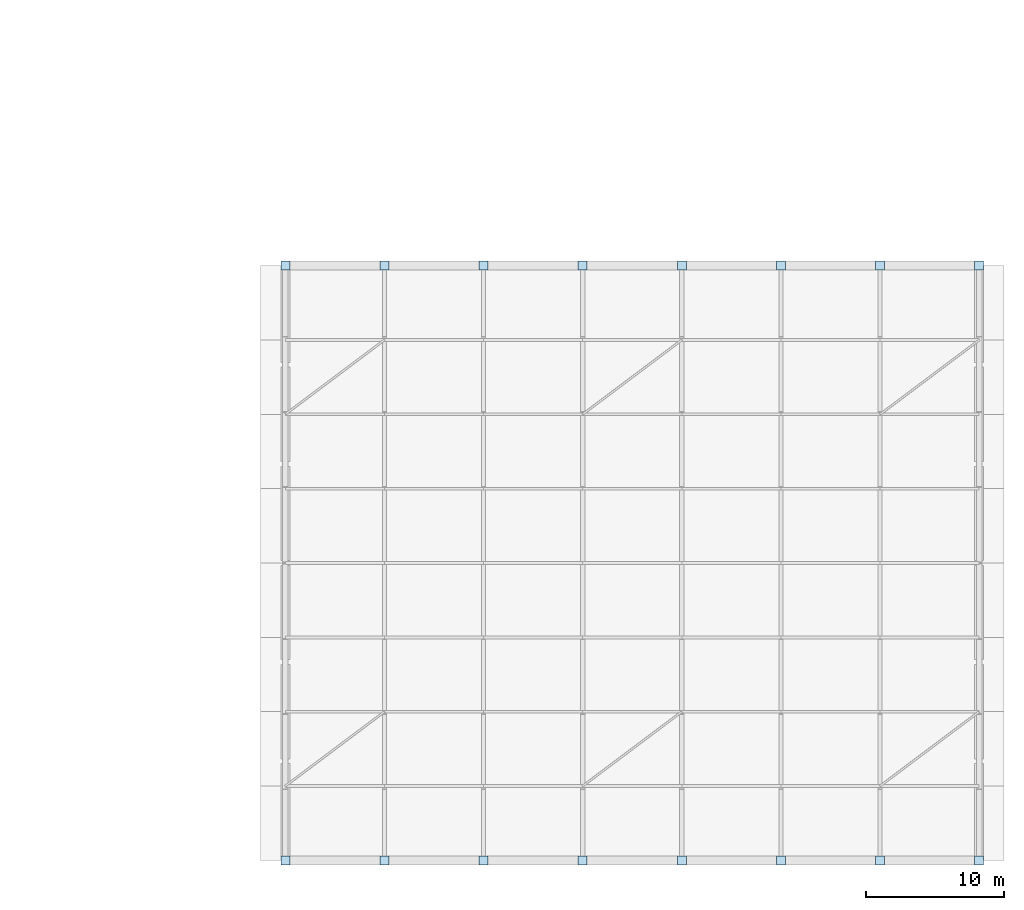
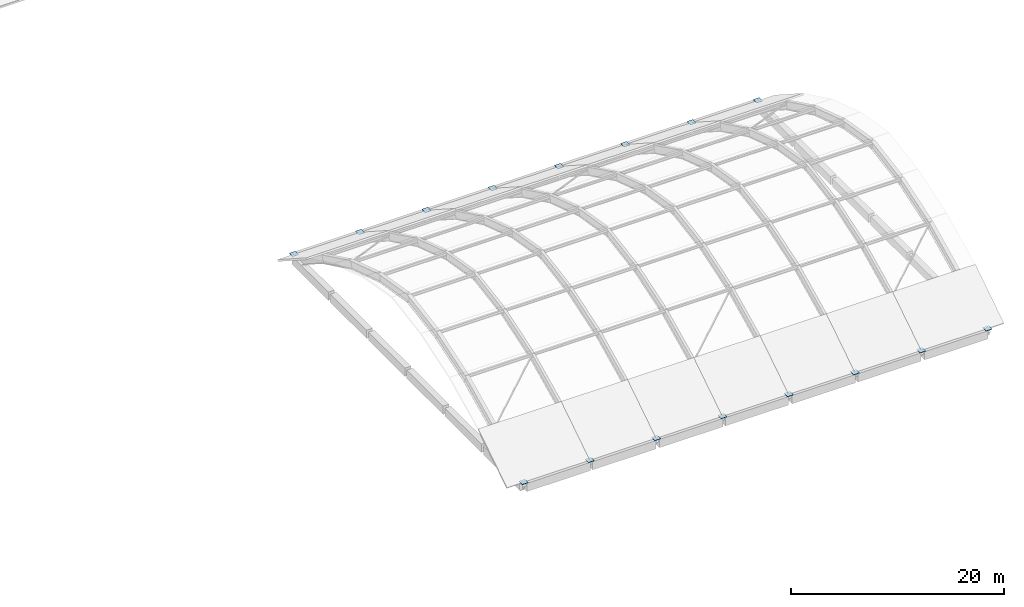
# One storey, part 27 of 38: 16 plates.
"""IFC4 building model written with IfcOpenShell, lengths in metres."""

from ifc_helpers import new_model, si_unit, direction, frame, origin, origin_2d, place, context, subcontext, project, spatial, rectangle, extrude, material, layer, layer_set, type_object, element, save


model = new_model("IFC4")

# Units and contexts
model_context = context("Model", 3, precision=1e-05, world=origin(), true_north=direction((0.0, 1.0)))
body_context = subcontext(model_context, "Body", "Model", "MODEL_VIEW")
ifc_project = project(units=[si_unit("LENGTHUNIT", "METRE"), si_unit("AREAUNIT", "SQUARE_METRE"), si_unit("VOLUMEUNIT", "CUBIC_METRE"), si_unit("PLANEANGLEUNIT", "RADIAN"), si_unit("MASSUNIT", "GRAM", prefix="KILO")], contexts=[model_context])

# Site, building, storey
site_placement = place(None, origin())
site = spatial("IfcSite", under=ifc_project, at=site_placement, CompositionType="ELEMENT")
building_placement = place(site_placement, origin())
building = spatial("IfcBuilding", under=site, at=building_placement, Name="Kalmorath City Hall", CompositionType="ELEMENT")
storey_placement = place(building_placement, frame((0.0, 0.0, 18.89990234375)))
storey = spatial("IfcBuildingStorey", under=building, at=storey_placement, Name="L04", CompositionType="ELEMENT", Elevation=18.89990234375)

# Plates
ifc_material = material(Name="Steel ASTM A572 Grade 50", Category="steel")
ifc_layer = layer(ifc_material, 0.0400390625)
ifc_layer_set = layer_set([ifc_layer], Name="Steel ASTM A572 Grade 50")
plate_type = type_object("IfcPlateType", Name="Steel arch-rib baseplate 650x650x40", PredefinedType="USERDEFINED", material=ifc_layer_set)
for number, where, z_axis, x_axis, name in (
    (1, (115.199951171875, 0.0, 0.0), (0.0, 0.0, 1.0), (1.0, 0.0, 0.0), "Shell rib baseplate GP1-1.1"),
    (2, (115.199951171875, 43.199951171875, 0.0), (0.0, 0.0, 1.0), (1.0, 0.0, 0.0), "Shell rib baseplate GP1-1.2"),
    (3, (122.39990234375, 0.0, 0.0), (0.0, 0.0, 1.0), (1.0, 0.0, 0.0), "Shell rib baseplate GP1-2.1"),
    (4, (122.39990234375, 43.199951171875, 0.0), (0.0, 0.0, 1.0), (1.0, 0.0, 0.0), "Shell rib baseplate GP1-2.2"),
    (5, (129.60009765625, 0.0, 0.0), (0.0, 0.0, 1.0), (1.0, 0.0, 0.0), "Shell rib baseplate GP1-3.1"),
    (6, (129.60009765625, 43.199951171875, 0.0), (0.0, 0.0, 1.0), (1.0, 0.0, 0.0), "Shell rib baseplate GP1-3.2"),
    (7, (136.800048828125, 0.0, 0.0), (0.0, 0.0, 1.0), (1.0, 0.0, 0.0), "Shell rib baseplate GP1-4.1"),
    (8, (136.800048828125, 43.199951171875, 0.0), (0.0, 0.0, 1.0), (1.0, 0.0, 0.0), "Shell rib baseplate GP1-4.2"),
    (9, (144.0, 0.0, 0.0), (0.0, 0.0, 1.0), (1.0, 0.0, 0.0), "Shell rib baseplate GP1-5.1"),
    (10, (144.0, 43.199951171875, 0.0), (0.0, 0.0, 1.0), (1.0, 0.0, 0.0), "Shell rib baseplate GP1-5.2"),
    (11, (151.199951171875, 0.0, 0.0), (0.0, 0.0, 1.0), (1.0, 0.0, 0.0), "Shell rib baseplate GP1-6.1"),
    (12, (151.199951171875, 43.199951171875, 0.0), (0.0, 0.0, 1.0), (1.0, 0.0, 0.0), "Shell rib baseplate GP1-6.2"),
    (13, (158.39990234375, 0.0, 0.0), (0.0, 0.0, 1.0), (1.0, 0.0, 0.0), "Shell rib baseplate GP1-7.1"),
    (14, (158.39990234375, 43.199951171875, 0.0), (0.0, 0.0, 1.0), (1.0, 0.0, 0.0), "Shell rib baseplate GP1-7.2"),
    (15, (165.60009765625, 0.0, 0.0), (0.0, 0.0, 1.0), (1.0, 0.0, 0.0), "Shell rib baseplate GP1-8.1"),
    (16, (165.60009765625, 43.199951171875, 0.0), (0.0, 0.0, 1.0), (1.0, 0.0, 0.0), "Shell rib baseplate GP1-8.2"),
):
    element("IfcPlate", number, at=place(storey_placement, frame(where, z_axis=z_axis, x_axis=x_axis)), inside=storey, type_object=plate_type, Name=name, ObjectType="GUSSET PLATE", PredefinedType="USERDEFINED", context=body_context, shape_type="SweptSolid", body=[
        extrude(rectangle(XDim=0.64990234375, YDim=0.64990234375, at=origin_2d()), origin(), (0.0, 0.0, 1.0), 0.0400390625),
    ])

save(model, "model.ifc")
